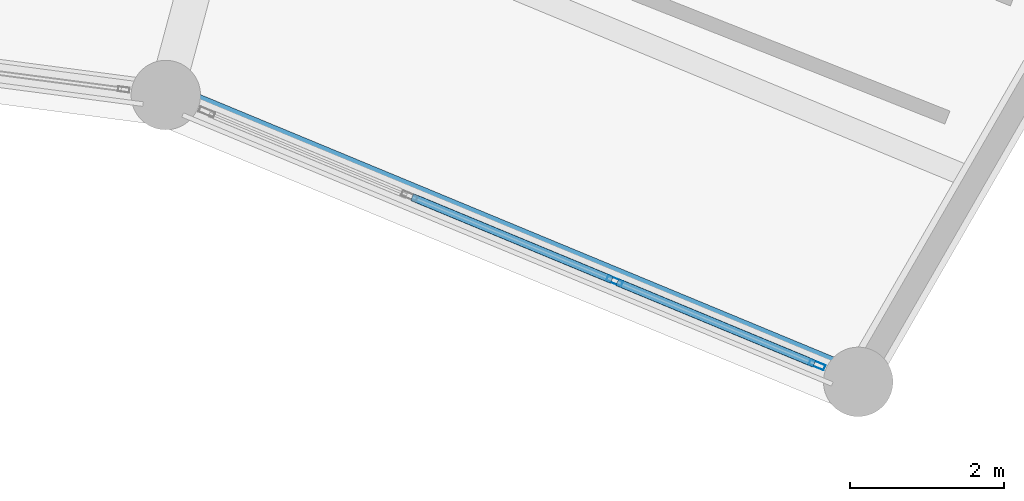
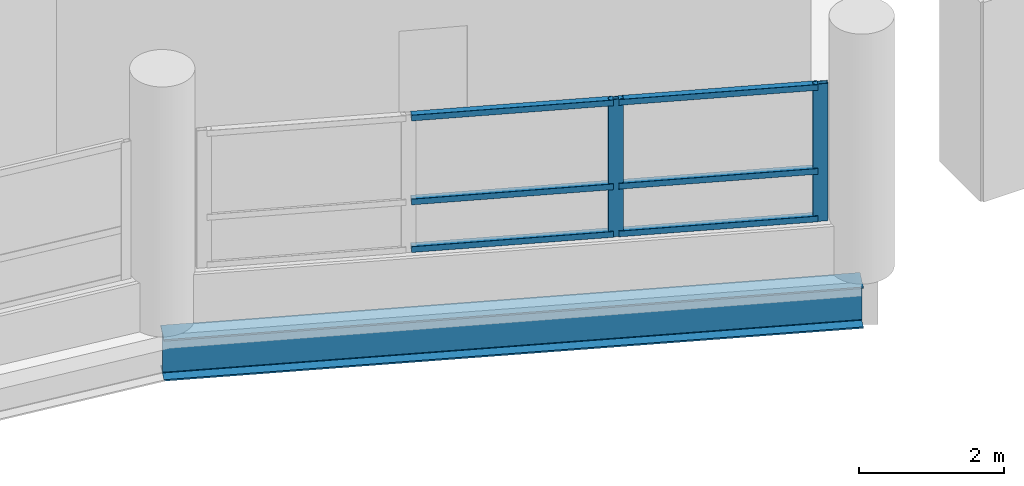
# One storey, part 60 of 128: 8 members, 1 beam, 1 element without a shape of its own.
"""IFC4 building model written with IfcOpenShell, lengths in metres."""

from ifc_helpers import new_model, si_unit, direction, frame, origin, origin_2d, place, context, subcontext, project, spatial, hollow_rectangle, i_section, extrude, material, layer, layer_set, material_profile, profile_set, type_object, element, aggregate, save


model = new_model("IFC4")

# Units and contexts
model_context = context("Model", 3, precision=1e-05, world=origin(), true_north=direction((0.0, 1.0)))
body_context = subcontext(model_context, "Body", "Model", "MODEL_VIEW")
ifc_project = project(units=[si_unit("LENGTHUNIT", "METRE"), si_unit("AREAUNIT", "SQUARE_METRE"), si_unit("VOLUMEUNIT", "CUBIC_METRE"), si_unit("PLANEANGLEUNIT", "RADIAN"), si_unit("MASSUNIT", "GRAM", prefix="KILO")], contexts=[model_context])

# Site, building, storey
site_placement = place(None, origin())
site = spatial("IfcSite", under=ifc_project, at=site_placement, CompositionType="ELEMENT")
building_placement = place(site_placement, origin())
building = spatial("IfcBuilding", under=site, at=building_placement, Name="Vespera Passage Community Centre", CompositionType="ELEMENT")
storey_placement = place(building_placement, frame((0.0, 0.0, 4.5)))
storey = spatial("IfcBuildingStorey", under=building, at=storey_placement, Name="L01", CompositionType="ELEMENT", Elevation=4.5)

# Beam
ifc_material_1 = material(Name="Steel ASTM A992 Grade 50", Category="steel")
ifc_material_profile_1 = material_profile(ifc_material_1, i_section(OverallWidth=0.3544921875, OverallDepth=0.695556640625, WebThickness=0.015380859375, FlangeThickness=0.024658203125, FilletRadius=0.01513671875, at=origin_2d()), Name="W27X146")
ifc_profile_set_1 = profile_set([ifc_material_profile_1], Name="Steel ASTM A992 Grade 50")
beam_type = type_object("IfcBeamType", Name="BM-SP-W27X146E", PredefinedType="SPANDREL", material=ifc_profile_set_1)
beam_placement = place(storey_placement, frame((96.60009765625, 97.716064453125, -0.587890625), z_axis=(-0.923878947685, 0.382684844258, 0.0), x_axis=(-0.382684844258, -0.923878947685, 0.0)))
element("IfcBeam", 1, at=beam_placement, inside=storey, type_object=beam_type, Name="V4 L01 Inner Spandrel 4", PredefinedType="SPANDREL", context=body_context, shape_type="SweptSolid", body=[
    extrude(i_section(OverallWidth=0.3544921875, OverallDepth=0.695556640625, WebThickness=0.015380859375, FlangeThickness=0.024658203125, FilletRadius=0.01513671875, at=origin_2d()), origin(), (0.0, 0.0, 1.0), 9.711181640625),
])

# Curtain wall, members
ifc_material_2 = material(Name="Anodized aluminium 6063-T6", Category="aluminium")
ifc_layer = layer(ifc_material_2, 0.159912109375)
ifc_layer_set = layer_set([ifc_layer], Name="Anodized aluminium 6063-T6")
curtain_wall_type = type_object("IfcCurtainWallType", Name="CW-12E", PredefinedType="NOTDEFINED", material=ifc_layer_set)
curtain_wall_placement = place(storey_placement, origin())
curtain_wall = element("IfcCurtainWall", 2, at=curtain_wall_placement, inside=storey, type_object=curtain_wall_type, Name="V4 L01 Inner Court Curtain Wall 4", PredefinedType="NOTDEFINED")
ifc_material_3 = material(Name="Anodized aluminium 6063-T6", Category="aluminium")
ifc_material_profile_2 = material_profile(ifc_material_3, hollow_rectangle(XDim=0.074951171875, YDim=0.2099609375, WallThickness=0.0048828125, InnerFilletRadius=0.00244140625, OuterFilletRadius=0.0048828125, at=origin_2d()), Name="ALU210X75X5")
ifc_profile_set_2 = profile_set([ifc_material_profile_2], Name="Anodized aluminium 6063-T6")
member_type_1 = type_object("IfcMemberType", Name="MB-CWM-210E", PredefinedType="MULLION", material=ifc_profile_set_2)
member_1_placement = place(storey_placement, frame((96.066650390625, 97.93701171875, 0.820068359375), z_axis=(0.0, 0.0, 1.0), x_axis=(-0.382690463482, -0.923876620096, 0.0)))
member_1 = element("IfcMember", 3, at=member_1_placement, type_object=member_type_1, Name="CW-12E mullion 1", PredefinedType="MULLION", context=body_context, shape_type="SweptSolid", body=[
    extrude(hollow_rectangle(XDim=0.074951171875, YDim=0.2099609375, WallThickness=0.0048828125, InnerFilletRadius=0.00244140625, OuterFilletRadius=0.0048828125, at=origin_2d()), origin(), (0.0, 0.0, 1.0), 2.309326171875),
])
member_2_placement = place(storey_placement, frame((93.443115234375, 99.023681640625, 0.820068359375), z_axis=(0.0, 0.0, 1.0), x_axis=(-0.382690463482, -0.923876620096, 0.0)))
member_2 = element("IfcMember", 4, at=member_2_placement, type_object=member_type_1, Name="CW-12E mullion 2", PredefinedType="MULLION", context=body_context, shape_type="SweptSolid", body=[
    extrude(hollow_rectangle(XDim=0.074951171875, YDim=0.2099609375, WallThickness=0.0048828125, InnerFilletRadius=0.00244140625, OuterFilletRadius=0.0048828125, at=origin_2d()), origin(), (0.0, 0.0, 1.0), 2.309326171875),
])
ifc_material_4 = material(Name="Anodized aluminium 6063-T6", Category="aluminium")
ifc_material_profile_3 = material_profile(ifc_material_4, hollow_rectangle(XDim=0.10009765625, YDim=0.10009765625, WallThickness=0.00390625, InnerFilletRadius=0.001953125, OuterFilletRadius=0.00390625, at=origin_2d()), Name="ALU100X100X4")
ifc_profile_set_3 = profile_set([ifc_material_profile_3], Name="Anodized aluminium 6063-T6")
member_type_2 = type_object("IfcMemberType", Name="MB-CWT-100E", PredefinedType="USERDEFINED", material=ifc_profile_set_3)
member_3_placement = place(storey_placement, frame((96.0322265625, 97.951416015625, 0.8701171875), z_axis=(-0.923908142805, 0.382614353701, 0.0), x_axis=(-0.382614353701, -0.923908142805, 0.0)))
member_3 = element("IfcMember", 5, at=member_3_placement, type_object=member_type_2, Name="CW-12E transom 1.1", ObjectType="TRANSOM", PredefinedType="USERDEFINED", context=body_context, shape_type="SweptSolid", body=[
    extrude(hollow_rectangle(XDim=0.10009765625, YDim=0.10009765625, WallThickness=0.00390625, InnerFilletRadius=0.001953125, OuterFilletRadius=0.00390625, at=origin_2d()), origin(), (0.0, 0.0, 1.0), 2.764892578125),
])
member_4_placement = place(storey_placement, frame((96.0322265625, 97.951416015625, 1.669921875), z_axis=(-0.923908142805, 0.382614353701, 0.0), x_axis=(-0.382614353701, -0.923908142805, 0.0)))
member_4 = element("IfcMember", 6, at=member_4_placement, type_object=member_type_2, Name="CW-12E transom 1.2", ObjectType="TRANSOM", PredefinedType="USERDEFINED", context=body_context, shape_type="SweptSolid", body=[
    extrude(hollow_rectangle(XDim=0.10009765625, YDim=0.10009765625, WallThickness=0.00390625, InnerFilletRadius=0.001953125, OuterFilletRadius=0.00390625, at=origin_2d()), origin(), (0.0, 0.0, 1.0), 2.764892578125),
])
member_5_placement = place(storey_placement, frame((96.0322265625, 97.951416015625, 3.07958984375), z_axis=(-0.923908142805, 0.382614353701, 0.0), x_axis=(-0.382614353701, -0.923908142805, 0.0)))
member_5 = element("IfcMember", 7, at=member_5_placement, type_object=member_type_2, Name="CW-12E transom 1.3", ObjectType="TRANSOM", PredefinedType="USERDEFINED", context=body_context, shape_type="SweptSolid", body=[
    extrude(hollow_rectangle(XDim=0.10009765625, YDim=0.10009765625, WallThickness=0.00390625, InnerFilletRadius=0.001953125, OuterFilletRadius=0.00390625, at=origin_2d()), origin(), (0.0, 0.0, 1.0), 2.764892578125),
])
member_6_placement = place(storey_placement, frame((93.408447265625, 99.0380859375, 0.8701171875), z_axis=(-0.923889408399, 0.382659588994, 0.0), x_axis=(-0.382659588994, -0.923889408399, 0.0)))
member_6 = element("IfcMember", 8, at=member_6_placement, type_object=member_type_2, Name="CW-12E transom 2.1", ObjectType="TRANSOM", PredefinedType="USERDEFINED", context=body_context, shape_type="SweptSolid", body=[
    extrude(hollow_rectangle(XDim=0.10009765625, YDim=0.10009765625, WallThickness=0.00390625, InnerFilletRadius=0.001953125, OuterFilletRadius=0.00390625, at=origin_2d()), origin(), (0.0, 0.0, 1.0), 2.80224609375),
])
member_7_placement = place(storey_placement, frame((93.408447265625, 99.0380859375, 1.669921875), z_axis=(-0.923889408399, 0.382659588994, 0.0), x_axis=(-0.382659588994, -0.923889408399, 0.0)))
member_7 = element("IfcMember", 9, at=member_7_placement, type_object=member_type_2, Name="CW-12E transom 2.2", ObjectType="TRANSOM", PredefinedType="USERDEFINED", context=body_context, shape_type="SweptSolid", body=[
    extrude(hollow_rectangle(XDim=0.10009765625, YDim=0.10009765625, WallThickness=0.00390625, InnerFilletRadius=0.001953125, OuterFilletRadius=0.00390625, at=origin_2d()), origin(), (0.0, 0.0, 1.0), 2.80224609375),
])
member_8_placement = place(storey_placement, frame((93.408447265625, 99.0380859375, 3.07958984375), z_axis=(-0.923889408399, 0.382659588994, 0.0), x_axis=(-0.382659588994, -0.923889408399, 0.0)))
member_8 = element("IfcMember", 10, at=member_8_placement, type_object=member_type_2, Name="CW-12E transom 2.3", ObjectType="TRANSOM", PredefinedType="USERDEFINED", context=body_context, shape_type="SweptSolid", body=[
    extrude(hollow_rectangle(XDim=0.10009765625, YDim=0.10009765625, WallThickness=0.00390625, InnerFilletRadius=0.001953125, OuterFilletRadius=0.00390625, at=origin_2d()), origin(), (0.0, 0.0, 1.0), 2.80224609375),
])
aggregate(curtain_wall, [member_1, member_2, member_3, member_4, member_5, member_6, member_7, member_8])

save(model, "model.ifc")
